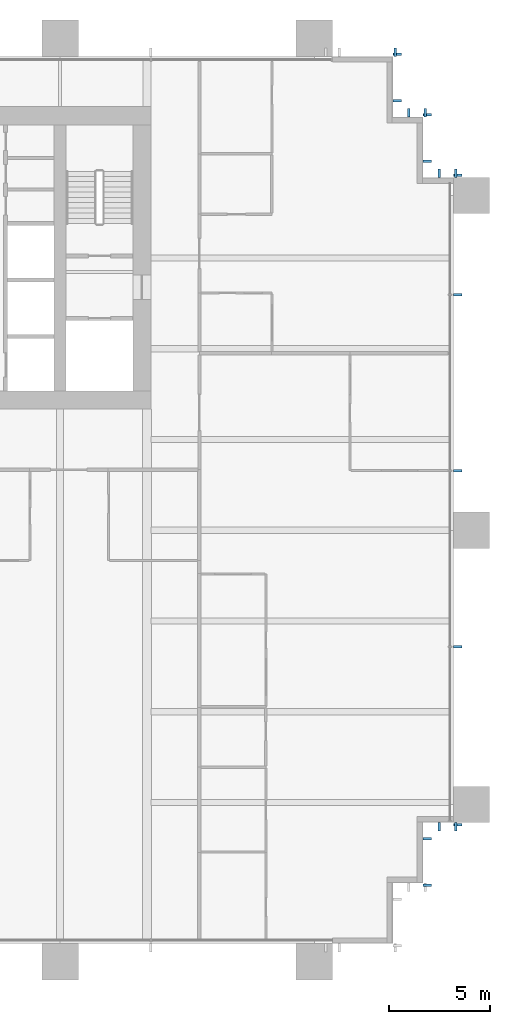
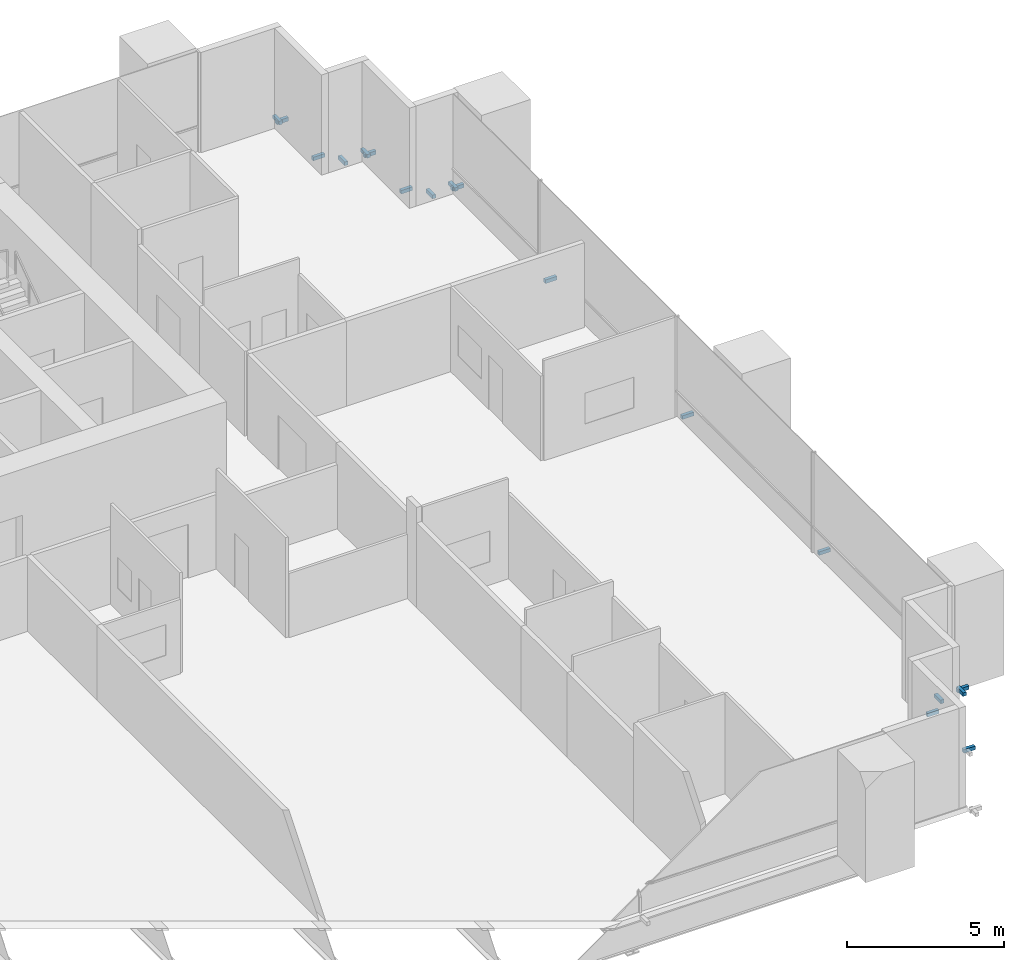
# One storey, part 17 of 18: 18 discrete accessories.
"""IFC4 building model written with IfcOpenShell, lengths in metres."""

from ifc_helpers import new_model, si_unit, direction, frame, origin, origin_2d, place, context, subcontext, project, spatial, rectangle, extrude, element, save


model = new_model("IFC4")

# Units and contexts
model_context = context("Model", 3, precision=1e-05, world=origin(), true_north=direction((0.0, 1.0)))
body_context = subcontext(model_context, "Body", "Model", "MODEL_VIEW")
ifc_project = project(units=[si_unit("LENGTHUNIT", "METRE"), si_unit("AREAUNIT", "SQUARE_METRE"), si_unit("VOLUMEUNIT", "CUBIC_METRE"), si_unit("PLANEANGLEUNIT", "RADIAN"), si_unit("MASSUNIT", "GRAM", prefix="KILO")], contexts=[model_context])

# Site, building, storey
site_placement = place(None, origin())
site = spatial("IfcSite", under=ifc_project, at=site_placement, CompositionType="ELEMENT")
building_placement = place(site_placement, origin())
building = spatial("IfcBuilding", under=site, at=building_placement, Name="Rattan Terrace Tower", CompositionType="ELEMENT")
storey_placement = place(building_placement, frame((0.0, 0.0, 36.5)))
storey = spatial("IfcBuildingStorey", under=building, at=storey_placement, Name="L07", CompositionType="ELEMENT", Elevation=36.5)

# Discrete accessories
for number, where, z_axis, x_axis, name in (
    (1, (31.7099609375, -31.110107421875, -0.169921875), (0.0, 0.0, 1.0), (0.0, 1.0, 0.0), "Panel bracket L07-7"),
    (2, (31.7099609375, -28.7900390625, -0.169921875), (0.0, 0.0, 1.0), (0.0, 1.0, 0.0), "Panel bracket L07-8"),
    (3, (32.2900390625, -28.2099609375, -0.169921875), (0.0, 0.0, 1.0), (1.0, 0.0, 0.0), "Panel bracket L07-9"),
    (4, (33.110107421875, -28.2099609375, -0.169921875), (0.0, 0.0, 1.0), (1.0, 0.0, 0.0), "Panel bracket L07-10"),
    (5, (33.2099609375, -28.110107421875, -0.169921875), (0.0, 0.0, 1.0), (0.0, 1.0, 0.0), "Panel bracket L07-11"),
    (6, (33.2099609375, -19.27294921875, -0.169921875), (0.0, 0.0, 1.0), (0.0, 1.0, 0.0), "Panel bracket L07-12"),
    (7, (33.2099609375, -10.5458984375, -0.169921875), (0.0, 0.0, 1.0), (0.0, 1.0, 0.0), "Panel bracket L07-13"),
    (8, (33.2099609375, -1.819091796875, -0.169921875), (0.0, 0.0, 1.0), (0.0, 1.0, 0.0), "Panel bracket L07-14"),
    (9, (33.2099609375, 4.110107421875, -0.169921875), (0.0, 0.0, 1.0), (0.0, 1.0, 0.0), "Panel bracket L07-15"),
    (10, (33.110107421875, 4.2099609375, -0.169921875), (0.0, 0.0, 1.0), (-1.0, 0.0, 0.0), "Panel bracket L07-16"),
    (11, (32.2900390625, 4.2099609375, -0.169921875), (0.0, 0.0, 1.0), (-1.0, 0.0, 0.0), "Panel bracket L07-17"),
    (12, (31.7099609375, 4.7900390625, -0.169921875), (0.0, 0.0, 1.0), (0.0, 1.0, 0.0), "Panel bracket L07-18"),
    (13, (31.7099609375, 7.110107421875, -0.169921875), (0.0, 0.0, 1.0), (0.0, 1.0, 0.0), "Panel bracket L07-19"),
    (14, (31.610107421875, 7.2099609375, -0.169921875), (0.0, 0.0, 1.0), (-1.0, 0.0, 0.0), "Panel bracket L07-20"),
    (15, (30.7900390625, 7.2099609375, -0.169921875), (0.0, 0.0, 1.0), (-1.0, 0.0, 0.0), "Panel bracket L07-21"),
    (16, (30.2099609375, 7.7900390625, -0.169921875), (0.0, 0.0, 1.0), (0.0, 1.0, 0.0), "Panel bracket L07-22"),
    (17, (30.2099609375, 10.110107421875, -0.169921875), (0.0, 0.0, 1.0), (0.0, 1.0, 0.0), "Panel bracket L07-23"),
    (18, (30.110107421875, 10.2099609375, -0.169921875), (0.0, 0.0, 1.0), (-1.0, 0.0, 0.0), "Panel bracket L07-24"),
):
    element("IfcDiscreteAccessory", number, at=place(storey_placement, frame(where, z_axis=z_axis, x_axis=x_axis)), inside=storey, Name=name, PredefinedType="BRACKET", context=body_context, shape_type="SweptSolid", body=[
        extrude(rectangle(XDim=0.1201171875, YDim=0.419921875, at=origin_2d()), origin(), (0.0, 0.0, 1.0), 0.139892578125),
    ])

save(model, "model.ifc")
